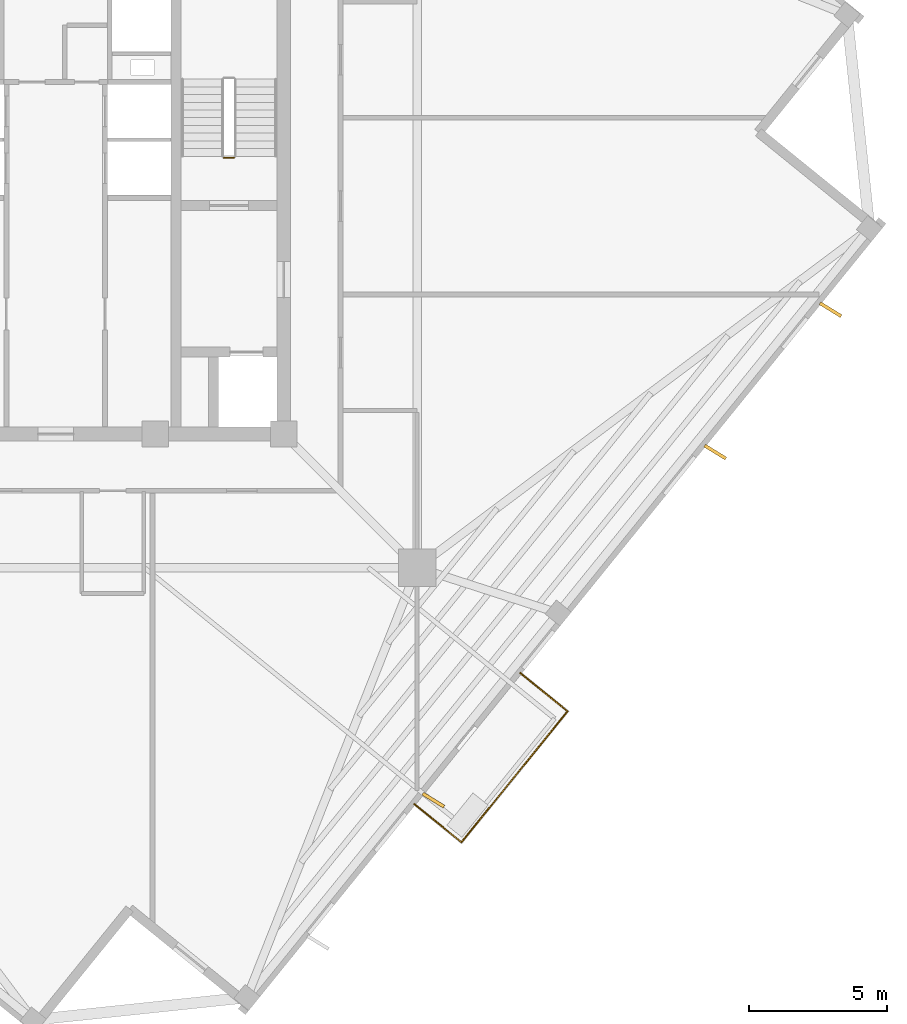
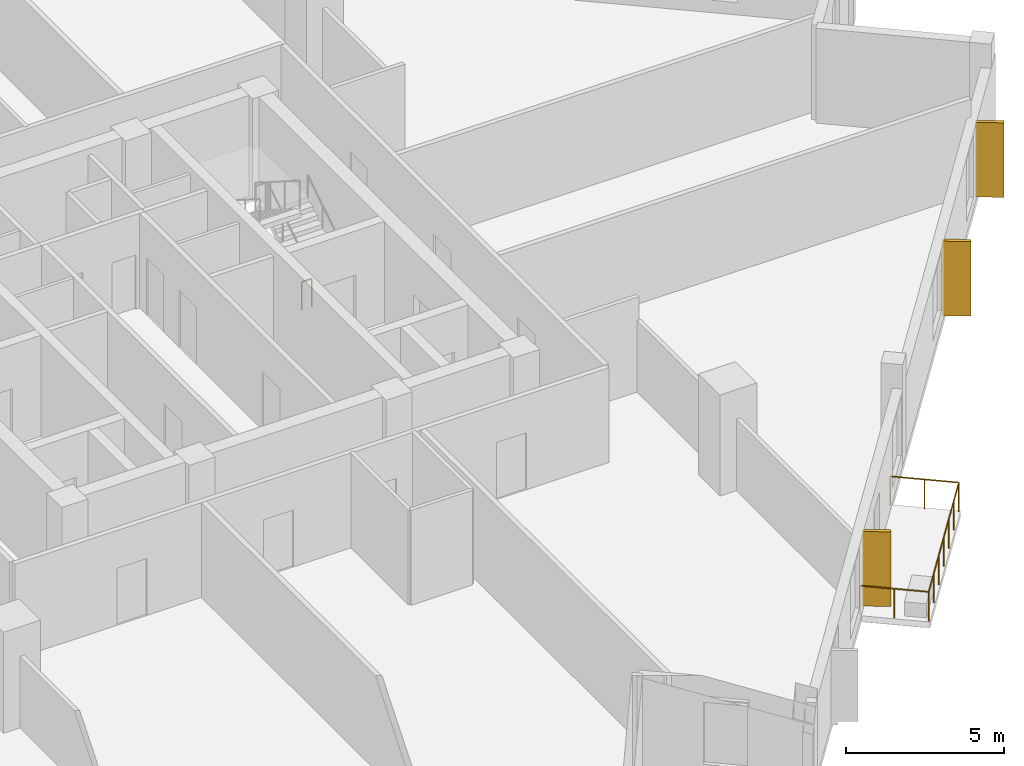
# One storey, part 7 of 9: 4 railings, 3 coverings.
"""IFC4 building model written with IfcOpenShell, lengths in metres."""

from ifc_helpers import new_model, si_unit, direction, frame, origin, origin_2d, place, context, subcontext, project, spatial, rectangle, circle, extrude, source, transform, mapped, material, layer, layer_set, type_object, element, save


model = new_model("IFC4")

# Units and contexts
model_context = context("Model", 3, precision=1e-05, world=origin(), true_north=direction((0.0, 1.0)))
body_context = subcontext(model_context, "Body", "Model", "MODEL_VIEW")
ifc_project = project(units=[si_unit("LENGTHUNIT", "METRE"), si_unit("AREAUNIT", "SQUARE_METRE"), si_unit("VOLUMEUNIT", "CUBIC_METRE"), si_unit("PLANEANGLEUNIT", "RADIAN"), si_unit("MASSUNIT", "GRAM", prefix="KILO"), si_unit("THERMODYNAMICTEMPERATUREUNIT", "KELVIN")], contexts=[model_context])

# Site, building, storey
site_placement = place(None, origin())
site = spatial("IfcSite", under=ifc_project, at=site_placement, CompositionType="ELEMENT")
building_placement = place(site_placement, origin())
building = spatial("IfcBuilding", under=site, at=building_placement, Name="Kosmvard Interchange Tower", CompositionType="ELEMENT")
storey_placement = place(building_placement, frame((0.0, 0.0, 236.800048828125)))
storey = spatial("IfcBuildingStorey", under=building, at=storey_placement, Name="L57", CompositionType="ELEMENT", Elevation=236.800048828125)

# Railings
ifc_material_1 = material(Name="Steel S355", Category="steel")
railing_type_1 = type_object("IfcRailingType", Name="Observation & Balcony Glass-Infill Balustrade 1150", PredefinedType="BALUSTRADE", material=ifc_material_1)
shared_shape_1 = source(origin(), body_context, "Body", "SweptSolid", [
    extrude(circle(Radius=0.02392578125, at=origin_2d()), frame((0.0, 0.0, 1.1259765625), z_axis=(-0.777195763313, 0.629258885904, 0.0), x_axis=(-0.629258885904, -0.777195763313, 0.0)), (0.0, 0.0, 1.0), 2.199951171875),
    extrude(circle(Radius=0.02099609375, at=origin_2d()), origin(), (0.0, 0.0, 1.0), 1.101806640625),
    extrude(circle(Radius=0.02099609375, at=origin_2d()), frame((-0.85498046875, 0.692138671875, 0.0)), (0.0, 0.0, 1.0), 1.101806640625),
    extrude(circle(Radius=0.02099609375, at=origin_2d()), frame((-1.709716796875, 1.38427734375, 0.0)), (0.0, 0.0, 1.0), 1.101806640625),
])
railing_1_placement = place(storey_placement, frame((18.523193359375, -18.281005859375, 0.0)))
element("IfcRailing", 1, at=railing_1_placement, inside=storey, type_object=railing_type_1, Name="L57 Outdoor Terrace Guard BAL-L57-S-C", PredefinedType="BALUSTRADE", context=body_context, shape_type="MappedRepresentation", body=[
    mapped(shared_shape_1, transform((0.0, 0.0, 0.0), scale=1.0)),
])
shared_shape_2 = source(origin(), body_context, "Body", "SweptSolid", [
    extrude(circle(Radius=0.02392578125, at=origin_2d()), frame((0.0, 0.0, 1.1259765625), z_axis=(0.777141488432, -0.629325914736, 0.0), x_axis=(0.629325914736, 0.777141488432, 0.0)), (0.0, 0.0, 1.0), 2.199951171875),
    extrude(circle(Radius=0.02099609375, at=origin_2d()), origin(), (0.0, 0.0, 1.0), 1.101806640625),
    extrude(circle(Radius=0.02099609375, at=origin_2d()), frame((0.85498046875, -0.6923828125, 0.0)), (0.0, 0.0, 1.0), 1.101806640625),
    extrude(circle(Radius=0.02099609375, at=origin_2d()), frame((1.709716796875, -1.384521484375, 0.0)), (0.0, 0.0, 1.0), 1.101806640625),
])
railing_2_placement = place(storey_placement, frame((12.974853515625, -21.63720703125, 0.0)))
element("IfcRailing", 2, at=railing_2_placement, inside=storey, type_object=railing_type_1, Name="L57 Outdoor Terrace Guard BAL-L57-S-A", PredefinedType="BALUSTRADE", context=body_context, shape_type="MappedRepresentation", body=[
    mapped(shared_shape_2, transform((0.0, 0.0, 0.0), scale=1.0)),
])

# Coverings
ifc_material_2 = material(Name="Architectural anodised aluminium", Category="aluminium")
ifc_layer = layer(ifc_material_2, 0.1201171875, Name="Architectural anodised aluminium")
ifc_layer_set = layer_set([ifc_layer], Name="Architectural anodised aluminium")
covering_type = type_object("IfcCoveringType", Name="Rotating Vertical Sun-Breaker Fin 900x120 Aluminium", PredefinedType="CLADDING", material=ifc_layer_set)
shared_shape_3 = source(origin(), body_context, "Body", "SweptSolid", [
    extrude(rectangle(XDim=0.89990234375, YDim=0.1201171875, at=origin_2d()), origin(), (0.0, 0.0, 1.0), 2.8798828125),
])
for number, where, z_axis, x_axis, name in (
    (3, (13.66748046875, -21.49658203125, 0.0400390625), (0.0, 0.0, 1.0), (0.852092537724, -0.523391160753, 0.0), "L57 Rotating Vertical Sun-Breaker Fin 02"),
    (4, (23.86865234375, -8.8994140625, 0.0400390625), (0.0, 0.0, 1.0), (0.852092537724, -0.523391160753, 0.0), "L57 Rotating Vertical Sun-Breaker Fin 03"),
    (5, (28.041748046875, -3.74609375, 0.0400390625), (0.0, 0.0, 1.0), (0.852092537724, -0.523391160753, 0.0), "L57 Rotating Vertical Sun-Breaker Fin 04"),
):
    element("IfcCovering", number, at=place(storey_placement, frame(where, z_axis=z_axis, x_axis=x_axis)), inside=storey, type_object=covering_type, Name=name, PredefinedType="CLADDING", context=body_context, shape_type="MappedRepresentation", body=[
        mapped(shared_shape_3, transform((0.0, 0.0, 0.0), scale=1.0)),
    ])

# Railings
shared_shape_4 = source(origin(), body_context, "Body", "SweptSolid", [
    extrude(circle(Radius=0.02392578125, at=origin_2d()), frame((0.0, 0.0, 1.1259765625), z_axis=(0.629286879001, 0.777173097783, 0.0), x_axis=(-0.777173097783, 0.629286879001, 0.0)), (0.0, 0.0, 1.0), 6.099853515625),
    extrude(circle(Radius=0.02099609375, at=origin_2d()), origin(), (0.0, 0.0, 1.0), 1.101806640625),
    extrude(circle(Radius=0.02099609375, at=origin_2d()), frame((0.6396484375, 0.7900390625, 0.0)), (0.0, 0.0, 1.0), 1.101806640625),
    extrude(circle(Radius=0.02099609375, at=origin_2d()), frame((1.279541015625, 1.580322265625, 0.0)), (0.0, 0.0, 1.0), 1.101806640625),
    extrude(circle(Radius=0.02099609375, at=origin_2d()), frame((1.91943359375, 2.370361328125, 0.0)), (0.0, 0.0, 1.0), 1.101806640625),
    extrude(circle(Radius=0.02099609375, at=origin_2d()), frame((2.55908203125, 3.160400390625, 0.0)), (0.0, 0.0, 1.0), 1.101806640625),
    extrude(circle(Radius=0.02099609375, at=origin_2d()), frame((3.19873046875, 3.95068359375, 0.0)), (0.0, 0.0, 1.0), 1.101806640625),
    extrude(circle(Radius=0.02099609375, at=origin_2d()), frame((3.838623046875, 4.74072265625, 0.0)), (0.0, 0.0, 1.0), 1.101806640625),
])
railing_3_placement = place(storey_placement, frame((14.6845703125, -23.021728515625, 0.0)))
element("IfcRailing", 6, at=railing_3_placement, inside=storey, type_object=railing_type_1, Name="L57 Outdoor Terrace Guard BAL-L57-S-B", PredefinedType="BALUSTRADE", context=body_context, shape_type="MappedRepresentation", body=[
    mapped(shared_shape_4, transform((0.0, 0.0, 0.0), scale=1.0)),
])
railing_type_2 = type_object("IfcRailingType", Name="Stair & Terrace Safety Guardrail 1100 Steel", PredefinedType="GUARDRAIL", material=ifc_material_1)
shared_shape_5 = source(origin(), body_context, "Body", "SweptSolid", [
    extrude(circle(Radius=0.02392578125, at=origin_2d()), frame((0.0, 0.0, 1.076171875), z_axis=(-1.0, 0.0, 0.0), x_axis=(0.0, -1.0, 0.0)), (0.0, 0.0, 1.0), 0.35986328125),
    extrude(circle(Radius=0.02099609375, at=origin_2d()), origin(), (0.0, 0.0, 1.0), 1.052001953125),
    extrude(circle(Radius=0.02099609375, at=origin_2d()), frame((-0.35986328125, 0.0, 0.0)), (0.0, 0.0, 1.0), 1.052001953125),
])
railing_4_placement = place(storey_placement, frame((6.449951171875, 1.75, 0.0)))
element("IfcRailing", 7, at=railing_4_placement, inside=storey, type_object=railing_type_2, Name="L57 ST-2 stair guard 4", PredefinedType="GUARDRAIL", context=body_context, shape_type="MappedRepresentation", body=[
    mapped(shared_shape_5, transform((0.0, 0.0, 0.0), scale=1.0)),
])

save(model, "model.ifc")
